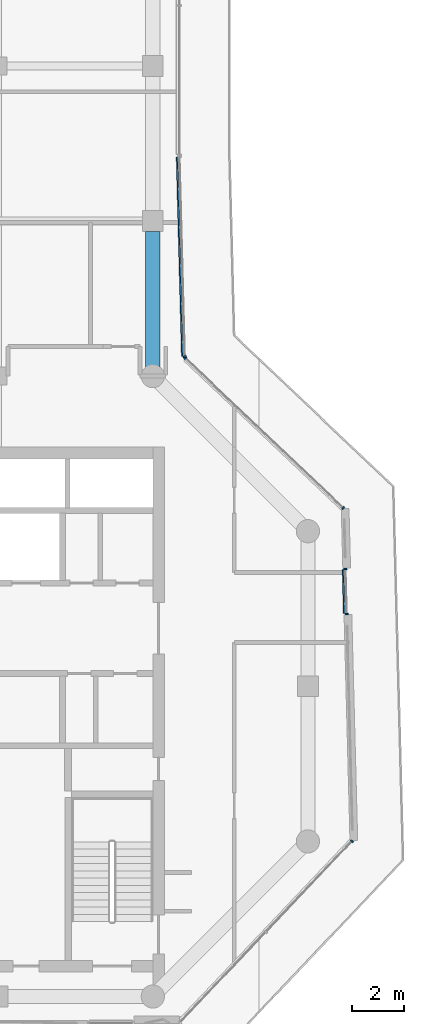
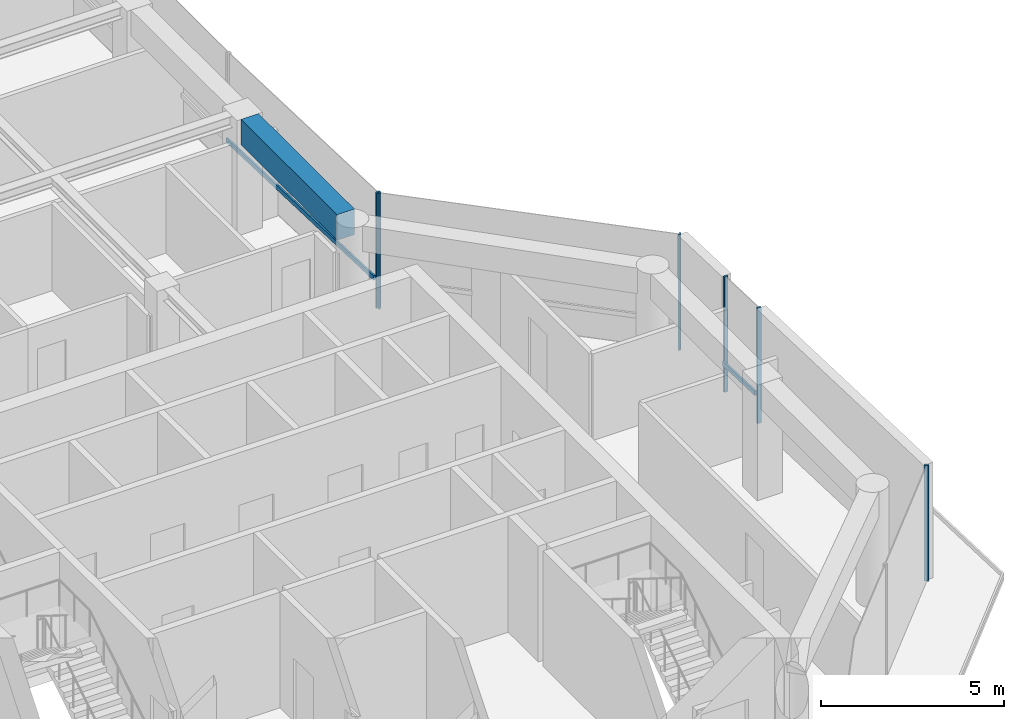
# One storey, part 6 of 20: 8 members, 1 beam, 4 elements without a shape of their own.
"""IFC4 building model written with IfcOpenShell, lengths in metres."""

import ifcopenshell
import ifcopenshell.guid

model = None  # the IFC model being written
_history = None  # IfcOwnerHistory: only IFC2X3 demands one
_inside = {}  # id of a spatial element -> (the spatial element, [elements in it])
_under = {}  # id of a project, library or spatial element -> (it, [spatial elements below it])
_declared = {}  # id of a project -> (the project, [libraries it declares])
_typed = {}  # id of a type object -> (the type object, [elements of that type])
_made_of = {}  # id of a material, layer set ... -> (it, [elements and type objects made of it])


def new_model(schema):
    """Start an empty IFC model of exactly this schema.

    Asked for "IFC4X3", IfcOpenShell would pick the latest addendum, in which some entities
    have other attributes; the version numbers below select the first issue.
    IFC2X3 requires an IfcOwnerHistory on every rooted entity: one is made here for all.
    """
    global model, _history
    if schema == "IFC4X3":
        model = ifcopenshell.file(schema_version=(4, 3, 0, 0))
    else:
        model = ifcopenshell.file(schema=schema)
    _inside.clear()
    _under.clear()
    _declared.clear()
    _typed.clear()
    _made_of.clear()
    _history = None
    if model.schema == "IFC2X3":
        org = make("IfcOrganization", Name="unknown")
        user = make(
            "IfcPersonAndOrganization",
            ThePerson=make("IfcPerson", FamilyName="unknown"),
            TheOrganization=org,
        )
        app = make(
            "IfcApplication",
            ApplicationDeveloper=org,
            Version="unknown",
            ApplicationFullName="unknown",
            ApplicationIdentifier="unknown",
        )
        _history = make(
            "IfcOwnerHistory",
            OwningUser=user,
            OwningApplication=app,
            ChangeAction="ADDED",
            CreationDate=0,
        )
    return model


def make(cls, **values):
    """One entity of the class cls with the attributes given. An attribute that is None is left unset."""
    return model.create_entity(
        cls, **{name: value for name, value in values.items() if value is not None}
    )


def rooted(cls, **values):
    """An entity with a GlobalId (a new one), such as an element, a storey or a relation."""
    return make(cls, GlobalId=ifcopenshell.guid.new(), OwnerHistory=_history, **values)


def si_unit(unit_type, name, prefix=None):
    """IfcSIUnit, for example si_unit("LENGTHUNIT", "METRE", prefix="MILLI")."""
    return make("IfcSIUnit", UnitType=unit_type, Prefix=prefix, Name=name)


def assignment(units):
    """IfcUnitAssignment: the units of a project."""
    return None if units is None else make("IfcUnitAssignment", Units=units)


def point(xyz):
    """IfcCartesianPoint."""
    return None if xyz is None else make("IfcCartesianPoint", Coordinates=xyz)


def direction(xyz):
    """IfcDirection."""
    return None if xyz is None else make("IfcDirection", DirectionRatios=xyz)


def frame(location, z_axis=None, x_axis=None):
    """IfcAxis2Placement3D, a coordinate frame: its origin and axes. An axis left out is left unset."""
    return make(
        "IfcAxis2Placement3D",
        Location=point(location),
        Axis=direction(z_axis),
        RefDirection=direction(x_axis),
    )


def frame_2d(location, x_axis=None):
    """IfcAxis2Placement2D, a coordinate frame in the plane: its origin and x axis."""
    return make(
        "IfcAxis2Placement2D", Location=point(location), RefDirection=direction(x_axis)
    )


def origin():
    """The frame at (0, 0, 0) with its axes left unset."""
    return frame((0.0, 0.0, 0.0))


def origin_2d():
    """The frame at (0, 0) in the plane with its x axis left unset."""
    return frame_2d((0.0, 0.0))


def place(relative_to, where):
    """IfcLocalPlacement: puts the frame where relative to a parent placement (None: the world)."""
    return make(
        "IfcLocalPlacement", PlacementRelTo=relative_to, RelativePlacement=where
    )


def context(
    kind, dimensions, precision=None, world=None, true_north=None, identifier=None
):
    """IfcGeometricRepresentationContext, for example the 3D "Model" context."""
    return make(
        "IfcGeometricRepresentationContext",
        ContextIdentifier=identifier,
        ContextType=kind,
        CoordinateSpaceDimension=dimensions,
        Precision=precision,
        WorldCoordinateSystem=world,
        TrueNorth=true_north,
    )


def subcontext(parent, identifier, kind, view, scale=None):
    """IfcGeometricRepresentationSubContext, for example "Body" below "Model"."""
    return make(
        "IfcGeometricRepresentationSubContext",
        ContextIdentifier=identifier,
        ContextType=kind,
        ParentContext=parent,
        TargetScale=scale,
        TargetView=view,
    )


def project(units=None, contexts=None):
    """IfcProject with its units and contexts."""
    return rooted(
        "IfcProject",
        Name="project",
        RepresentationContexts=contexts,
        UnitsInContext=assignment(units),
    )


def spatial(cls, under=None, at=None, **own):
    """A site, building, storey or space (cls), placed at a placement, below another one or the project."""
    s = rooted(cls, ObjectPlacement=at, **own)
    if under is not None:
        _under.setdefault(under.id(), (under, []))[1].append(s)
    return s


def profile(cls, at=None, kind="AREA", **sizes):
    """A parametric profile (cls). Its sizes go by their IFC names, for example OverallWidth=200.0."""
    return make(cls, ProfileType=kind, Position=at, **sizes)


def rectangle(**sizes):
    """IfcRectangleProfileDef."""
    return profile("IfcRectangleProfileDef", **sizes)


def extrude(swept, where, along, depth):
    """IfcExtrudedAreaSolid: the profile swept, set in the frame where, extruded along a direction by depth."""
    return make(
        "IfcExtrudedAreaSolid",
        SweptArea=swept,
        Position=where,
        ExtrudedDirection=direction(along),
        Depth=depth,
    )


def shape(context_of_items, identifier, shape_type, items):
    """IfcShapeRepresentation: the items that make up one representation, for example the "Body"."""
    return make(
        "IfcShapeRepresentation",
        ContextOfItems=context_of_items,
        RepresentationIdentifier=identifier,
        RepresentationType=shape_type,
        Items=items,
    )


def material(Name=None, Category=None):
    """IfcMaterial."""
    return make("IfcMaterial", Name=Name, Category=Category)


def layer(
    of_material, thickness, ventilated=None, Name=None, Category=None, Priority=None
):
    """IfcMaterialLayer: one layer of a wall or slab, of a material (None: an air gap)."""
    return make(
        "IfcMaterialLayer",
        Material=of_material,
        LayerThickness=thickness,
        IsVentilated=ventilated,
        Name=Name,
        Category=Category,
        Priority=Priority,
    )


def layer_set(layers, Name=None):
    """IfcMaterialLayerSet."""
    return make("IfcMaterialLayerSet", MaterialLayers=layers, LayerSetName=Name)


def material_profile(
    of_material, cross_section, Name=None, Category=None, Priority=None
):
    """IfcMaterialProfile: a cross section and its material."""
    return make(
        "IfcMaterialProfile",
        Name=Name,
        Material=of_material,
        Profile=cross_section,
        Priority=Priority,
        Category=Category,
    )


def profile_set(profiles, Name=None, composite=None):
    """IfcMaterialProfileSet."""
    return make(
        "IfcMaterialProfileSet",
        Name=Name,
        MaterialProfiles=profiles,
        CompositeProfile=composite,
    )


def made_of(thing, what):
    """Note that an element or type object is made of a material, layer set ...; save() writes the relation."""
    if what is not None:
        _made_of.setdefault(what.id(), (what, []))[1].append(thing)
    return thing


def type_object(cls, material=None, **own):
    """A type object (cls), such as IfcWallType, which elements share."""
    return made_of(rooted(cls, **own), material)


def element(
    cls,
    number,
    at=None,
    inside=None,
    cuts=None,
    type_object=None,
    material=None,
    context=None,
    identifier="Body",
    shape_type=None,
    held_by="IfcProductDefinitionShape",
    body=None,
    shapes=None,
    **own,
):
    """One element of the class cls, such as IfcWall. Its Tag is "e" and its number.

    at: its placement. inside: the storey or other place that contains it. cuts: it is an
    opening in that element (IfcRelVoidsElement). A single representation is given by context,
    identifier, shape_type and body (its items); several are given by shapes. held_by: the class
    of the entity that holds the representations. save() writes the other relations.
    """
    e = rooted(cls, Tag="e%d" % number, ObjectPlacement=at, **own)
    if body is not None:
        shapes = [shape(context, identifier, shape_type, body)]
    if shapes is not None:
        e.Representation = make(held_by, Representations=shapes)
    if inside is not None:
        _inside.setdefault(inside.id(), (inside, []))[1].append(e)
    if cuts is not None:
        rooted(
            "IfcRelVoidsElement", RelatingBuildingElement=cuts, RelatedOpeningElement=e
        )
    if type_object is not None:
        _typed.setdefault(type_object.id(), (type_object, []))[1].append(e)
    return made_of(e, material)


def aggregate(whole, parts):
    """IfcRelAggregates: a whole, such as a stair, and the parts it consists of."""
    return rooted("IfcRelAggregates", RelatingObject=whole, RelatedObjects=parts)


def save(model, path):
    """Write the relations noted so far, then the file.

    IfcRelAggregates (storeys below a building ...), IfcRelContainedInSpatialStructure (elements
    in a storey), IfcRelDefinesByType, IfcRelAssociatesMaterial and IfcRelDeclares: one each for
    every whole, place, type object, material and project.
    """
    for whole, parts in _under.values():
        aggregate(whole, parts)
    for where, things in _inside.values():
        rooted(
            "IfcRelContainedInSpatialStructure",
            RelatedElements=things,
            RelatingStructure=where,
        )
    for kind, things in _typed.values():
        rooted("IfcRelDefinesByType", RelatedObjects=things, RelatingType=kind)
    for what, things in _made_of.values():
        rooted("IfcRelAssociatesMaterial", RelatedObjects=things, RelatingMaterial=what)
    for by, libraries in _declared.values():
        rooted("IfcRelDeclares", RelatingContext=by, RelatedDefinitions=libraries)
    model.write(path)


model = new_model("IFC4")

# Units and contexts
model_context = context("Model", 3, precision=1e-05, world=origin(), true_north=direction((0.0, 1.0)))
body_context = subcontext(model_context, "Body", "Model", "MODEL_VIEW")
ifc_project = project(units=[si_unit("LENGTHUNIT", "METRE"), si_unit("AREAUNIT", "SQUARE_METRE"), si_unit("VOLUMEUNIT", "CUBIC_METRE"), si_unit("PLANEANGLEUNIT", "RADIAN"), si_unit("MASSUNIT", "GRAM", prefix="KILO")], contexts=[model_context])

# Site, building, storey
site_placement = place(None, origin())
site = spatial("IfcSite", under=ifc_project, at=site_placement, CompositionType="ELEMENT")
building_placement = place(site_placement, origin())
building = spatial("IfcBuilding", under=site, at=building_placement, Name="Welwitschia Terrace Campus", CompositionType="ELEMENT")
storey_placement = place(building_placement, frame((0.0, 0.0, 222.199951171875)))
storey = spatial("IfcBuildingStorey", under=building, at=storey_placement, Name="L49", CompositionType="ELEMENT", Elevation=222.199951171875)

# Curtain wall, member
ifc_material_1 = material(Name="Bronze anodised aluminium", Category="aluminium")
ifc_layer = layer(ifc_material_1, 0.1201171875)
ifc_layer_set = layer_set([ifc_layer], Name="Bronze anodised aluminium")
curtain_wall_type = type_object("IfcCurtainWallType", Name="Curtain wall CW2 tower 6000", PredefinedType="NOTDEFINED", material=ifc_layer_set)
curtain_wall_1_placement = place(storey_placement, origin())
curtain_wall_1 = element("IfcCurtainWall", 1, at=curtain_wall_1_placement, inside=storey, type_object=curtain_wall_type, Name="CW L49.4.0", PredefinedType="NOTDEFINED")
ifc_material_2 = material(Name="Bronze anodised aluminium", Category="aluminium")
ifc_material_profile_1 = material_profile(ifc_material_2, rectangle(XDim=0.1201171875, YDim=0.06005859375, at=origin_2d()))
ifc_profile_set_1 = profile_set([ifc_material_profile_1], Name="Bronze anodised aluminium")
member_type_1 = type_object("IfcMemberType", Name="Mullion 60x120", PredefinedType="MULLION", material=ifc_profile_set_1)
member_1_placement = place(storey_placement, frame((31.705322265625, 10.00732421875, 0.0), z_axis=(0.0, 0.0, 1.0), x_axis=(-0.725374371012, 0.688354575694, 0.0)))
member_1 = element("IfcMember", 2, at=member_1_placement, type_object=member_type_1, Name="Mullion L49.4.0.2", PredefinedType="MULLION", context=body_context, shape_type="SweptSolid", body=[
    extrude(rectangle(XDim=0.1201171875, YDim=0.06005859375, at=origin_2d()), origin(), (0.0, 0.0, 1.0), 3.85009765625),
])
aggregate(curtain_wall_1, [member_1])

# Curtain wall, members
curtain_wall_2_placement = place(storey_placement, origin())
curtain_wall_2 = element("IfcCurtainWall", 3, at=curtain_wall_2_placement, inside=storey, type_object=curtain_wall_type, Name="CW L49.5.S0", PredefinedType="NOTDEFINED")
member_2_placement = place(storey_placement, frame((31.49658203125, 18.7958984375, 0.0), z_axis=(0.0, 0.0, 1.0), x_axis=(-0.999657324976, -0.026176948308, 0.0)))
member_2 = element("IfcMember", 4, at=member_2_placement, type_object=member_type_1, Name="Mullion L49.5.S0.0", PredefinedType="MULLION", context=body_context, shape_type="SweptSolid", body=[
    extrude(rectangle(XDim=0.1201171875, YDim=0.06005859375, at=origin_2d()), origin(), (0.0, 0.0, 1.0), 3.85009765625),
])
member_3_placement = place(storey_placement, frame((31.450927734375, 20.535400390625, 0.0), z_axis=(0.0, 0.0, 1.0), x_axis=(-0.999657324976, -0.026176948308, 0.0)))
member_3 = element("IfcMember", 5, at=member_3_placement, type_object=member_type_1, Name="Mullion L49.5.S0.1", PredefinedType="MULLION", context=body_context, shape_type="SweptSolid", body=[
    extrude(rectangle(XDim=0.1201171875, YDim=0.06005859375, at=origin_2d()), origin(), (0.0, 0.0, 1.0), 3.85009765625),
])

curtain_wall_3_placement = place(storey_placement, origin())
curtain_wall_3 = element("IfcCurtainWall", 6, at=curtain_wall_3_placement, inside=storey, type_object=curtain_wall_type, Name="CW L49.6.0", PredefinedType="NOTDEFINED")
member_4_placement = place(storey_placement, frame((31.367919921875, 22.898681640625, 0.0), z_axis=(0.0, 0.0, 1.0), x_axis=(-0.688354575694, -0.725374371012, 0.0)))
member_4 = element("IfcMember", 7, at=member_4_placement, type_object=member_type_1, Name="Mullion L49.6.0.0", PredefinedType="MULLION", context=body_context, shape_type="SweptSolid", body=[
    extrude(rectangle(XDim=0.1201171875, YDim=0.06005859375, at=origin_2d()), origin(), (0.0, 0.0, 1.0), 3.85009765625),
])
member_5_placement = place(storey_placement, frame((25.25634765625, 28.6982421875, 0.0), z_axis=(0.0, 0.0, 1.0), x_axis=(-0.688354575694, -0.725374371012, 0.0)))
member_5 = element("IfcMember", 8, at=member_5_placement, type_object=member_type_1, Name="Mullion L49.6.0.1", PredefinedType="MULLION", context=body_context, shape_type="SweptSolid", body=[
    extrude(rectangle(XDim=0.1201171875, YDim=0.06005859375, at=origin_2d()), origin(), (0.0, 0.0, 1.0), 3.85009765625),
])
aggregate(curtain_wall_3, [member_4, member_5])

# Curtain wall, member
curtain_wall_4_placement = place(storey_placement, origin())
curtain_wall_4 = element("IfcCurtainWall", 9, at=curtain_wall_4_placement, inside=storey, type_object=curtain_wall_type, Name="CW L49.7.0", PredefinedType="NOTDEFINED")
member_6_placement = place(storey_placement, frame((25.23388671875, 28.748779296875, 0.0), z_axis=(0.0, 0.0, 1.0), x_axis=(-0.999657324976, -0.026176948308, 0.0)))
member_6 = element("IfcMember", 10, at=member_6_placement, type_object=member_type_1, Name="Mullion L49.7.0.0", PredefinedType="MULLION", context=body_context, shape_type="SweptSolid", body=[
    extrude(rectangle(XDim=0.1201171875, YDim=0.06005859375, at=origin_2d()), origin(), (0.0, 0.0, 1.0), 3.85009765625),
])

# Beam
ifc_material_3 = material(Name="Concrete C50/60", Category="concrete")
ifc_material_profile_2 = material_profile(ifc_material_3, rectangle(XDim=0.550048828125, YDim=0.85009765625, at=origin_2d()))
ifc_profile_set_2 = profile_set([ifc_material_profile_2], Name="Concrete C50/60")
beam_type = type_object("IfcBeamType", Name="Ring spandrel 550x850", PredefinedType="SPANDREL", material=ifc_profile_set_2)
beam_placement = place(storey_placement, frame((24.0, 28.35693359375, 3.425048828125), z_axis=(0.0, 1.0, 0.0), x_axis=(-1.0, 0.0, 0.0)))
element("IfcBeam", 11, at=beam_placement, inside=storey, type_object=beam_type, Name="Spandrel SP3", PredefinedType="SPANDREL", context=body_context, shape_type="SweptSolid", body=[
    extrude(rectangle(XDim=0.550048828125, YDim=0.85009765625, at=origin_2d()), origin(), (0.0, 0.0, 1.0), 5.24267578125),
])

# Member
ifc_material_4 = material(Name="Bronze anodised aluminium", Category="aluminium")
ifc_material_profile_3 = material_profile(ifc_material_4, rectangle(XDim=0.06005859375, YDim=0.14990234375, at=origin_2d()))
ifc_profile_set_3 = profile_set([ifc_material_profile_3], Name="Bronze anodised aluminium")
member_type_2 = type_object("IfcMemberType", Name="Transom 60x150", PredefinedType="USERDEFINED", material=ifc_profile_set_3)
member_7_placement = place(storey_placement, frame((31.40576171875, 18.82373046875, 1.0), z_axis=(-0.026157640568, 0.99965783038, 0.0), x_axis=(-0.99965783038, -0.026157640568, 0.0)))
member_7 = element("IfcMember", 12, at=member_7_placement, type_object=member_type_2, Name="Transom L49.5.S0", ObjectType="TRANSOM", PredefinedType="USERDEFINED", context=body_context, shape_type="SweptSolid", body=[
    extrude(rectangle(XDim=0.06005859375, YDim=0.14990234375, at=origin_2d()), origin(), (0.0, 0.0, 1.0), 1.679931640625),
])

aggregate(curtain_wall_2, [member_2, member_3, member_7])

member_8_placement = place(storey_placement, frame((25.14306640625, 28.7763671875, 1.0), z_axis=(-0.026169045337, 0.999657531891, 0.0), x_axis=(-0.999657531891, -0.026169045337, 0.0)))
member_8 = element("IfcMember", 13, at=member_8_placement, type_object=member_type_2, Name="Transom L49.7.0", ObjectType="TRANSOM", PredefinedType="USERDEFINED", context=body_context, shape_type="SweptSolid", body=[
    extrude(rectangle(XDim=0.06005859375, YDim=0.14990234375, at=origin_2d()), origin(), (0.0, 0.0, 1.0), 7.69677734375),
])

aggregate(curtain_wall_4, [member_6, member_8])

save(model, "model.ifc")
